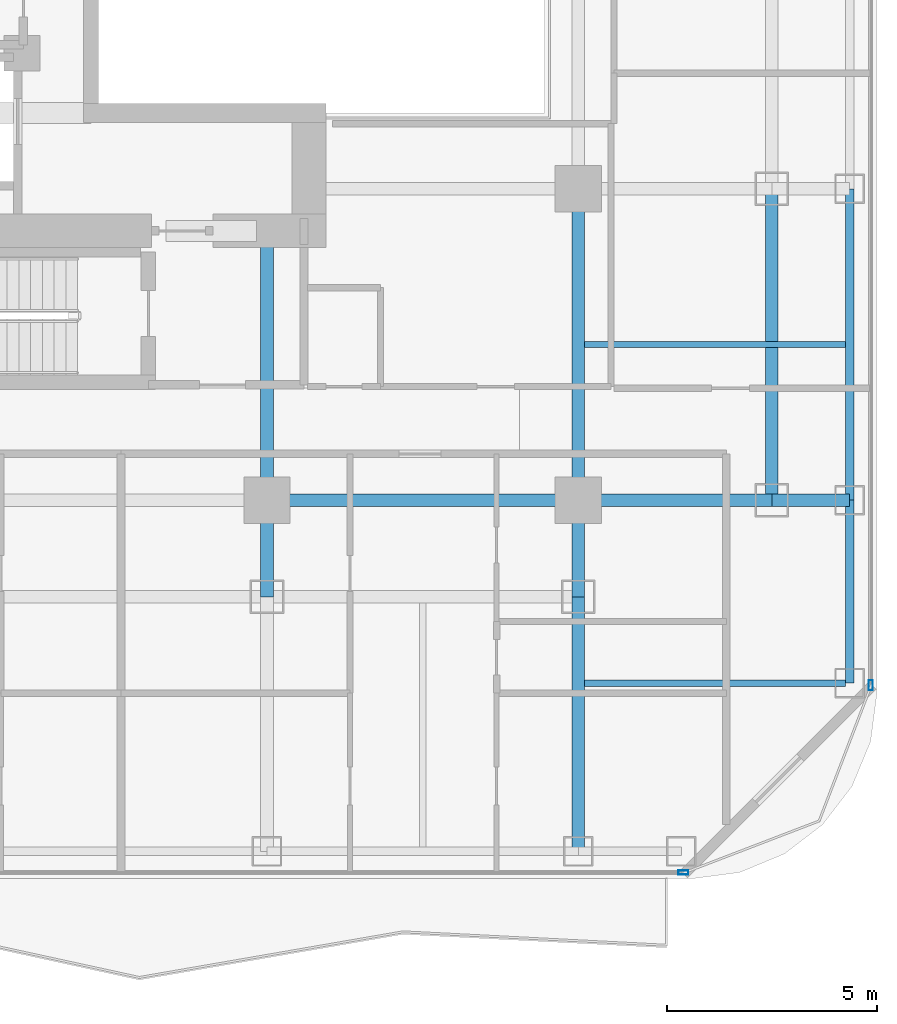
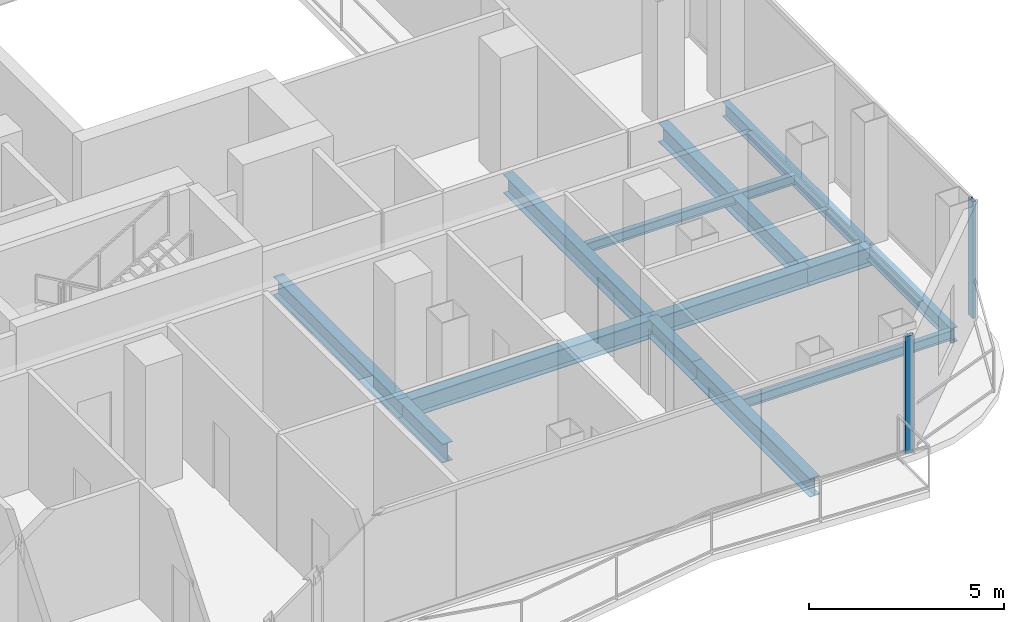
# One storey, part 7 of 27: 13 beams, 2 members, 2 elements without a shape of their own.
"""IFC4 building model written with IfcOpenShell, lengths in metres."""

from ifc_helpers import new_model, si_unit, direction, frame, origin, origin_2d, place, context, subcontext, project, spatial, hollow_rectangle, i_section, extrude, material, layer, layer_set, material_profile, profile_set, type_object, element, aggregate, save


model = new_model("IFC4")

# Units and contexts
model_context = context("Model", 3, precision=1e-05, world=origin(), true_north=direction((0.0, 1.0)))
body_context = subcontext(model_context, "Body", "Model", "MODEL_VIEW")
ifc_project = project(units=[si_unit("LENGTHUNIT", "METRE"), si_unit("AREAUNIT", "SQUARE_METRE"), si_unit("VOLUMEUNIT", "CUBIC_METRE"), si_unit("PLANEANGLEUNIT", "RADIAN"), si_unit("MASSUNIT", "GRAM", prefix="KILO")], contexts=[model_context])

# Site, building, storey
site_placement = place(None, origin())
site = spatial("IfcSite", under=ifc_project, at=site_placement, CompositionType="ELEMENT")
building_placement = place(site_placement, origin())
building = spatial("IfcBuilding", under=site, at=building_placement, Name="Khorvyn Point Tower", CompositionType="ELEMENT")
storey_placement = place(building_placement, frame((0.0, 0.0, 179.699951171875)))
storey = spatial("IfcBuildingStorey", under=building, at=storey_placement, Name="L44", CompositionType="ELEMENT", Elevation=179.699951171875)

# Curtain wall, member
ifc_material_1 = material(Name="Anodised aluminium 6063-T6 and laminated Low-E glass", Category="aluminium")
ifc_layer = layer(ifc_material_1, 0.18994140625)
ifc_layer_set = layer_set([ifc_layer], Name="Stick-Built Acoustic Curtain Wall CW-SYS-03")
curtain_wall_type = type_object("IfcCurtainWallType", Name="Stick-Built Acoustic Curtain Wall CW-SYS-03", PredefinedType="NOTDEFINED", material=ifc_layer_set)
curtain_wall_1_placement = place(storey_placement, origin())
curtain_wall_1 = element("IfcCurtainWall", 1, at=curtain_wall_1_placement, inside=storey, type_object=curtain_wall_type, Name="Curtain Wall", PredefinedType="NOTDEFINED")
ifc_material_2 = material(Name="Anodised aluminium 6063-T6", Category="aluminium")
ifc_material_profile_1 = material_profile(ifc_material_2, hollow_rectangle(XDim=0.10009765625, YDim=0.239990234375, WallThickness=0.0048828125, at=origin_2d()))
ifc_profile_set_1 = profile_set([ifc_material_profile_1], Name="Anodised aluminium 6063-T6 ALU-MUL-100x240")
member_type = type_object("IfcMemberType", Name="Anodised Aluminium 6063-T6 Mullion ALU-MUL-100x240", PredefinedType="MULLION", material=ifc_profile_set_1)
member_1_placement = place(storey_placement, frame((17.300048828125, -23.64990234375, 0.0), z_axis=(0.0, 0.0, 1.0), x_axis=(0.0, -1.0, 0.0)))
member_1 = element("IfcMember", 2, at=member_1_placement, type_object=member_type, Name="Transom", PredefinedType="MULLION", context=body_context, shape_type="SweptSolid", body=[
    extrude(hollow_rectangle(XDim=0.10009765625, YDim=0.239990234375, WallThickness=0.0048828125, at=origin_2d()), origin(), (0.0, 0.0, 1.0), 3.679931640625),
])
aggregate(curtain_wall_1, [member_1])

curtain_wall_2_placement = place(storey_placement, origin())
curtain_wall_2 = element("IfcCurtainWall", 3, at=curtain_wall_2_placement, inside=storey, type_object=curtain_wall_type, Name="Curtain Wall", PredefinedType="NOTDEFINED")
member_2_placement = place(storey_placement, frame((21.75, -19.199951171875, 0.0), z_axis=(0.0, 0.0, 1.0), x_axis=(1.0, 0.0, 0.0)))
member_2 = element("IfcMember", 4, at=member_2_placement, type_object=member_type, Name="Transom", PredefinedType="MULLION", context=body_context, shape_type="SweptSolid", body=[
    extrude(hollow_rectangle(XDim=0.10009765625, YDim=0.239990234375, WallThickness=0.0048828125, at=origin_2d()), origin(), (0.0, 0.0, 1.0), 3.679931640625),
])
aggregate(curtain_wall_2, [member_2])

# Beams
ifc_material_3 = material(Name="Steel S355", Category="steel")
ifc_material_profile_2 = material_profile(ifc_material_3, i_section(OverallWidth=0.300048828125, OverallDepth=0.587890625, WebThickness=0.011962890625, FlangeThickness=0.02001953125, at=origin_2d()))
ifc_profile_set_2 = profile_set([ifc_material_profile_2], Name="Steel S355 H588x300x12x20")
beam_type_1 = type_object("IfcBeamType", Name="Steel S355 Beam H588x300x12x20", PredefinedType="BEAM", material=ifc_profile_set_2)
beam_1_placement = place(storey_placement, frame((7.39990234375, -14.800048828125, -0.513916015625), z_axis=(1.0, 0.0, 0.0), x_axis=(0.0, 1.0, 0.0)))
element("IfcBeam", 5, at=beam_1_placement, inside=storey, type_object=beam_type_1, Name="Beam", PredefinedType="BEAM", context=body_context, shape_type="SweptSolid", body=[
    extrude(i_section(OverallWidth=0.300048828125, OverallDepth=0.587890625, WebThickness=0.011962890625, FlangeThickness=0.02001953125, at=origin_2d()), origin(), (0.0, 0.0, 1.0), 7.400146484375),
])
beam_2_placement = place(storey_placement, frame((14.800048828125, -14.800048828125, -0.513916015625), z_axis=(1.0, 0.0, 0.0), x_axis=(0.0, 1.0, 0.0)))
element("IfcBeam", 6, at=beam_2_placement, inside=storey, type_object=beam_type_1, Name="Beam", PredefinedType="BEAM", context=body_context, shape_type="SweptSolid", body=[
    extrude(i_section(OverallWidth=0.300048828125, OverallDepth=0.587890625, WebThickness=0.011962890625, FlangeThickness=0.02001953125, at=origin_2d()), origin(), (0.0, 0.0, 1.0), 4.599853515625),
])
beam_3_placement = place(storey_placement, frame((19.39990234375, -14.800048828125, -0.513916015625), z_axis=(1.0, 0.0, 0.0), x_axis=(0.0, 1.0, 0.0)))
element("IfcBeam", 7, at=beam_3_placement, inside=storey, type_object=beam_type_1, Name="Beam", PredefinedType="BEAM", context=body_context, shape_type="SweptSolid", body=[
    extrude(i_section(OverallWidth=0.300048828125, OverallDepth=0.587890625, WebThickness=0.011962890625, FlangeThickness=0.02001953125, at=origin_2d()), origin(), (0.0, 0.0, 1.0), 1.85009765625),
])
beam_4_placement = place(storey_placement, frame((14.800048828125, -23.14990234375, -0.513916015625), z_axis=(0.0, 1.0, 0.0), x_axis=(-1.0, 0.0, 0.0)))
element("IfcBeam", 8, at=beam_4_placement, inside=storey, type_object=beam_type_1, Name="Beam", PredefinedType="BEAM", context=body_context, shape_type="SweptSolid", body=[
    extrude(i_section(OverallWidth=0.300048828125, OverallDepth=0.587890625, WebThickness=0.011962890625, FlangeThickness=0.02001953125, at=origin_2d()), origin(), (0.0, 0.0, 1.0), 6.0498046875),
])
beam_5_placement = place(storey_placement, frame((14.800048828125, -17.10009765625, -0.513916015625), z_axis=(0.0, 1.0, 0.0), x_axis=(-1.0, 0.0, 0.0)))
element("IfcBeam", 9, at=beam_5_placement, inside=storey, type_object=beam_type_1, Name="Beam", PredefinedType="BEAM", context=body_context, shape_type="SweptSolid", body=[
    extrude(i_section(OverallWidth=0.300048828125, OverallDepth=0.587890625, WebThickness=0.011962890625, FlangeThickness=0.02001953125, at=origin_2d()), origin(), (0.0, 0.0, 1.0), 2.300048828125),
])
beam_6_placement = place(storey_placement, frame((14.800048828125, -14.800048828125, -0.513916015625), z_axis=(0.0, 1.0, 0.0), x_axis=(-1.0, 0.0, 0.0)))
element("IfcBeam", 10, at=beam_6_placement, inside=storey, type_object=beam_type_1, Name="Beam", PredefinedType="BEAM", context=body_context, shape_type="SweptSolid", body=[
    extrude(i_section(OverallWidth=0.300048828125, OverallDepth=0.587890625, WebThickness=0.011962890625, FlangeThickness=0.02001953125, at=origin_2d()), origin(), (0.0, 0.0, 1.0), 7.400146484375),
])
beam_7_placement = place(storey_placement, frame((7.39990234375, -17.10009765625, -0.513916015625), z_axis=(0.0, 1.0, 0.0), x_axis=(-1.0, 0.0, 0.0)))
element("IfcBeam", 11, at=beam_7_placement, inside=storey, type_object=beam_type_1, Name="Beam", PredefinedType="BEAM", context=body_context, shape_type="SweptSolid", body=[
    extrude(i_section(OverallWidth=0.300048828125, OverallDepth=0.587890625, WebThickness=0.011962890625, FlangeThickness=0.02001953125, at=origin_2d()), origin(), (0.0, 0.0, 1.0), 2.300048828125),
])
beam_8_placement = place(storey_placement, frame((7.39990234375, -14.800048828125, -0.513916015625), z_axis=(0.0, 1.0, 0.0), x_axis=(-1.0, 0.0, 0.0)))
element("IfcBeam", 12, at=beam_8_placement, inside=storey, type_object=beam_type_1, Name="Beam", PredefinedType="BEAM", context=body_context, shape_type="SweptSolid", body=[
    extrude(i_section(OverallWidth=0.300048828125, OverallDepth=0.587890625, WebThickness=0.011962890625, FlangeThickness=0.02001953125, at=origin_2d()), origin(), (0.0, 0.0, 1.0), 6.400146484375),
])
beam_9_placement = place(storey_placement, frame((19.39990234375, -14.800048828125, -0.513916015625), z_axis=(0.0, 1.0, 0.0), x_axis=(-1.0, 0.0, 0.0)))
element("IfcBeam", 13, at=beam_9_placement, inside=storey, type_object=beam_type_1, Name="Beam", PredefinedType="BEAM", context=body_context, shape_type="SweptSolid", body=[
    extrude(i_section(OverallWidth=0.300048828125, OverallDepth=0.587890625, WebThickness=0.011962890625, FlangeThickness=0.02001953125, at=origin_2d()), origin(), (0.0, 0.0, 1.0), 7.400146484375),
])
ifc_material_profile_3 = material_profile(ifc_material_3, i_section(OverallWidth=0.14990234375, OverallDepth=0.300048828125, WebThickness=0.006591796875, FlangeThickness=0.009033203125, at=origin_2d()))
ifc_profile_set_3 = profile_set([ifc_material_profile_3], Name="Steel S355 H300x150x6.5x9")
beam_type_2 = type_object("IfcBeamType", Name="Steel S355 Joist H300x150x6.5x9", PredefinedType="JOIST", material=ifc_profile_set_3)
for number, where, z_axis, x_axis, name in (
    (14, (14.949951171875, -11.10009765625, -0.369873046875), (1.0, 0.0, 0.0), (0.0, 1.0, 0.0), "Beam"),
    (15, (14.949951171875, -19.14990234375, -0.369873046875), (1.0, 0.0, 0.0), (0.0, 1.0, 0.0), "Beam"),
):
    element("IfcBeam", number, at=place(storey_placement, frame(where, z_axis=z_axis, x_axis=x_axis)), inside=storey, type_object=beam_type_2, Name=name, PredefinedType="JOIST", context=body_context, shape_type="SweptSolid", body=[
        extrude(i_section(OverallWidth=0.14990234375, OverallDepth=0.300048828125, WebThickness=0.006591796875, FlangeThickness=0.009033203125, at=origin_2d()), origin(), (0.0, 0.0, 1.0), 6.199951171875),
    ])
ifc_material_profile_4 = material_profile(ifc_material_3, i_section(OverallWidth=0.199951171875, OverallDepth=0.449951171875, WebThickness=0.009033203125, FlangeThickness=0.013916015625, at=origin_2d()))
ifc_profile_set_4 = profile_set([ifc_material_profile_4], Name="Steel S355 H450x200x9x14")
beam_type_3 = type_object("IfcBeamType", Name="Steel S355 Spandrel H450x200x9x14", PredefinedType="SPANDREL", material=ifc_profile_set_4)
beam_10_placement = place(storey_placement, frame((21.25, -19.14990234375, -0.445068359375), z_axis=(0.0, 1.0, 0.0), x_axis=(-1.0, 0.0, 0.0)))
element("IfcBeam", 16, at=beam_10_placement, inside=storey, type_object=beam_type_3, Name="Beam", PredefinedType="SPANDREL", context=body_context, shape_type="SweptSolid", body=[
    extrude(i_section(OverallWidth=0.199951171875, OverallDepth=0.449951171875, WebThickness=0.009033203125, FlangeThickness=0.013916015625, at=origin_2d()), origin(), (0.0, 0.0, 1.0), 4.349853515625),
])
beam_11_placement = place(storey_placement, frame((21.25, -14.800048828125, -0.445068359375), z_axis=(0.0, 1.0, 0.0), x_axis=(-1.0, 0.0, 0.0)))
element("IfcBeam", 17, at=beam_11_placement, inside=storey, type_object=beam_type_3, Name="Beam", PredefinedType="SPANDREL", context=body_context, shape_type="SweptSolid", body=[
    extrude(i_section(OverallWidth=0.199951171875, OverallDepth=0.449951171875, WebThickness=0.009033203125, FlangeThickness=0.013916015625, at=origin_2d()), origin(), (0.0, 0.0, 1.0), 7.400146484375),
])

save(model, "model.ifc")
